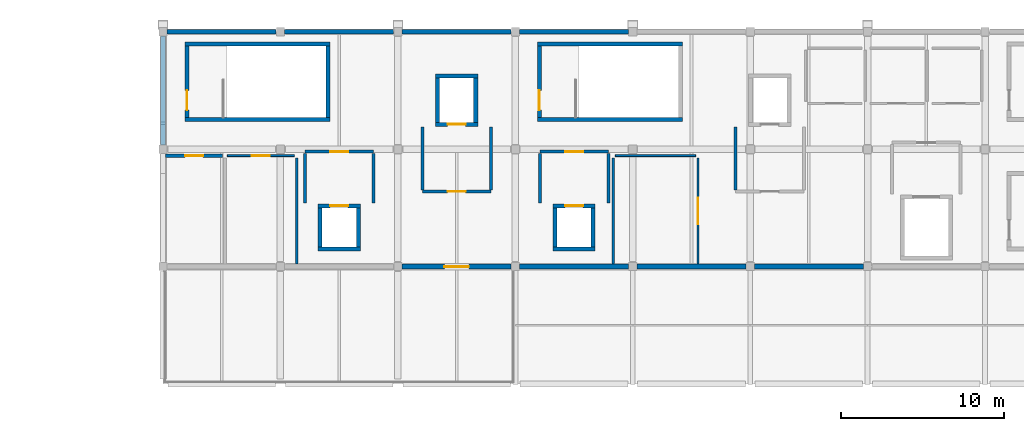
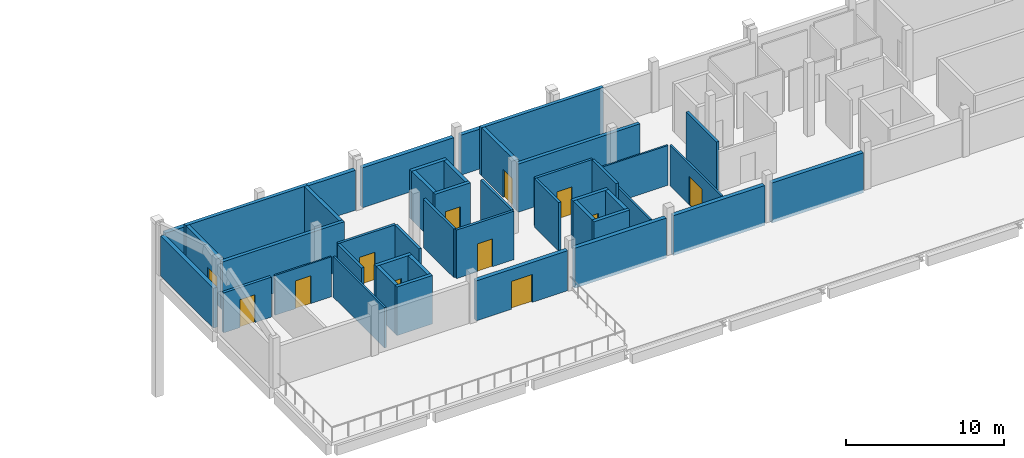
# One storey, part 5 of 8: 44 walls, 12 doors, 12 openings.
"""IFC4 building model written with IfcOpenShell, lengths in metres."""

from ifc_helpers import new_model, si_unit, direction, frame, frame_2d, origin, place, context, subcontext, project, spatial, rectangle, extrude, material, layer, layer_set, type_object, element, fill, save


model = new_model("IFC4")

# Units and contexts
model_context = context("Model", 3, precision=1e-05, world=origin(), true_north=direction((0.0, 1.0)))
body_context = subcontext(model_context, "Body", "Model", "MODEL_VIEW")
ifc_project = project(units=[si_unit("LENGTHUNIT", "METRE"), si_unit("AREAUNIT", "SQUARE_METRE"), si_unit("VOLUMEUNIT", "CUBIC_METRE"), si_unit("PLANEANGLEUNIT", "RADIAN"), si_unit("MASSUNIT", "GRAM", prefix="KILO")], contexts=[model_context])

# Site, building, storey
site_placement = place(None, origin())
site = spatial("IfcSite", under=ifc_project, at=site_placement, CompositionType="ELEMENT")
building_placement = place(site_placement, origin())
building = spatial("IfcBuilding", under=site, at=building_placement, Name="Cendralis Lancet Convention Centre", CompositionType="ELEMENT")
storey_placement = place(building_placement, frame((0.0, 0.0, 24.60009765625)))
storey = spatial("IfcBuildingStorey", under=building, at=storey_placement, Name="L05", CompositionType="ELEMENT", Elevation=24.60009765625)

# Walls
ifc_material_1 = material(Name="Buff sandstone ashlar and Concrete G40 (C40/50)", Category="masonry")
ifc_layer_1 = layer(ifc_material_1, 0.300048828125, Name="Buff sandstone ashlar and Concrete G40 (C40/50)")
ifc_layer_set_1 = layer_set([ifc_layer_1], Name="Buff sandstone ashlar and Concrete G40 (C40/50)")
wall_type_1 = type_object("IfcWallType", Name="ARC-EW-W300", PredefinedType="STANDARD", material=ifc_layer_set_1)
for number, where, z_axis, x_axis, name in (
    (1, (146.657958984375, 36.0, 0.0), (0.0, 0.0, 1.0), (1.0, 0.0, 0.0), "L05 V5 Exterior Wall EW-07 #0321"),
    (2, (153.85791015625, 36.0, 0.0), (0.0, 0.0, 1.0), (1.0, 0.0, 0.0), "L05 V5 Exterior Wall EW-07 #0325"),
):
    element("IfcWall", number, at=place(storey_placement, frame(where, z_axis=z_axis, x_axis=x_axis)), inside=storey, type_object=wall_type_1, Name=name, PredefinedType="STANDARD", context=body_context, shape_type="SweptSolid", body=[
        extrude(rectangle(XDim=6.68408203125, YDim=0.300048828125, at=frame_2d((3.342041015625, 0.0))), origin(), (0.0, 0.0, 1.0), 3.0849609375),
    ])
wall_1_placement = place(storey_placement, frame((161.05810546875, 36.0, 0.0), z_axis=(0.0, 0.0, 1.0), x_axis=(1.0, 0.0, 0.0)))
element("IfcWall", 3, at=wall_1_placement, inside=storey, type_object=wall_type_1, Name="L05 V5 Exterior Wall EW-07 #0329", PredefinedType="STANDARD", context=body_context, shape_type="SweptSolid", body=[
    extrude(rectangle(XDim=6.683837890625, YDim=0.300048828125, at=frame_2d((3.341796875, 0.0))), origin(), (0.0, 0.0, 1.0), 3.0849609375),
])

# Wall, opening, door
wall_2_placement = place(storey_placement, frame((167.741943359375, 21.60009765625, 0.0), z_axis=(0.0, 0.0, 1.0), x_axis=(-1.0, 0.0, 0.0)))
wall_2 = element("IfcWall", 4, at=wall_2_placement, inside=storey, type_object=wall_type_1, Name="L05 V5 Exterior Wall EW-07 #0330", PredefinedType="STANDARD", context=body_context, shape_type="SweptSolid", body=[
    extrude(rectangle(XDim=6.683837890625, YDim=0.300048828125, at=frame_2d((3.341796875, 0.0))), origin(), (0.0, 0.0, 1.0), 3.0849609375),
])
opening_1_placement = place(wall_2_placement, frame((2.592041015625, 0.0, 0.0)))
opening_1 = element("IfcOpeningElement", 5, at=opening_1_placement, cuts=wall_2, Name="Opening TR-D3", PredefinedType="OPENING", context=body_context, shape_type="SweptSolid", body=[
    extrude(rectangle(XDim=1.5, YDim=2.14990234375, at=frame_2d((0.75, 1.074951171875))), frame((0.0, 0.159912109375, 0.0), z_axis=(0.0, -1.0, 0.0), x_axis=(1.0, 0.0, 0.0)), (0.0, 0.0, 1.0), 0.320068359375),
])
ifc_material_2 = material(Name="Anodised bronze architectural aluminium", Category="aluminium")
door_type_1 = type_object("IfcDoorType", Name="ARC-DR-TR15", OperationType="NOTDEFINED", PredefinedType="DOOR", material=ifc_material_2)
door_1_placement = place(opening_1_placement, origin())
door_1 = element("IfcDoor", 6, at=door_1_placement, inside=storey, type_object=door_type_1, Name="L05-D001 Terrace Access Door #056", OperationType="DOUBLE_DOOR_SINGLE_SWING", OverallHeight=2.14990234375, OverallWidth=1.5, PredefinedType="DOOR", context=body_context, shape_type="SweptSolid", body=[
    extrude(rectangle(XDim=1.5, YDim=2.14990234375, at=frame_2d((0.75, 1.074951171875))), frame((0.0, 0.02490234375, 0.0), z_axis=(0.0, -1.0, 0.0), x_axis=(1.0, 0.0, 0.0)), (0.0, 0.0, 1.0), 0.050048828125),
])
fill(opening_1, door_1)

# Walls
for number, where, z_axis, x_axis, name in (
    (7, (168.258056640625, 36.0, 0.0), (0.0, 0.0, 1.0), (1.0, 0.0, 0.0), "L05 V5 Exterior Wall EW-07 #0333"),
    (8, (174.94189453125, 21.60009765625, 0.0), (0.0, 0.0, 1.0), (-1.0, 0.0, 0.0), "L05 V5 Exterior Wall EW-07 #0334"),
):
    element("IfcWall", number, at=place(storey_placement, frame(where, z_axis=z_axis, x_axis=x_axis)), inside=storey, type_object=wall_type_1, Name=name, PredefinedType="STANDARD", context=body_context, shape_type="SweptSolid", body=[
        extrude(rectangle(XDim=6.683837890625, YDim=0.300048828125, at=frame_2d((3.341796875, 0.0))), origin(), (0.0, 0.0, 1.0), 3.0849609375),
    ])
for number, where, z_axis, x_axis, name in (
    (9, (182.14208984375, 21.60009765625, 0.0), (0.0, 0.0, 1.0), (-1.0, 0.0, 0.0), "L05 V5 Exterior Wall EW-07 #0338"),
    (10, (189.342041015625, 21.60009765625, 0.0), (0.0, 0.0, 1.0), (-1.0, 0.0, 0.0), "L05 V5 Exterior Wall EW-07 #0342"),
):
    element("IfcWall", number, at=place(storey_placement, frame(where, z_axis=z_axis, x_axis=x_axis)), inside=storey, type_object=wall_type_1, Name=name, PredefinedType="STANDARD", context=body_context, shape_type="SweptSolid", body=[
        extrude(rectangle(XDim=6.68408203125, YDim=0.300048828125, at=frame_2d((3.342041015625, 0.0))), origin(), (0.0, 0.0, 1.0), 3.0849609375),
    ])
wall_3_placement = place(storey_placement, frame((146.39990234375, 29.05810546875, 0.0), z_axis=(0.0, 0.0, 1.0), x_axis=(0.0, 1.0, 0.0)))
element("IfcWall", 11, at=wall_3_placement, inside=storey, type_object=wall_type_1, Name="L05 V5 Exterior Wall EW-07 #0360", PredefinedType="STANDARD", context=body_context, shape_type="SweptSolid", body=[
    extrude(rectangle(XDim=6.683837890625, YDim=0.300048828125, at=frame_2d((3.341796875, 0.0))), origin(), (0.0, 0.0, 1.0), 3.0849609375),
])
ifc_material_3 = material(Name="Acoustic fire-rated gypsum board on steel studs", Category="steel")
ifc_layer_2 = layer(ifc_material_3, 0.1201171875, Name="Acoustic fire-rated gypsum board on steel studs")
ifc_layer_set_2 = layer_set([ifc_layer_2], Name="Acoustic fire-rated gypsum board on steel studs")
wall_type_2 = type_object("IfcWallType", Name="ARC-IW-P120", PredefinedType="PARTITIONING", material=ifc_layer_set_2)
wall_4_placement = place(storey_placement, frame((174.139892578125, 28.39990234375, 0.0), z_axis=(0.0, 0.0, 1.0), x_axis=(1.0, 0.0, 0.0)))
element("IfcWall", 12, at=wall_4_placement, inside=storey, type_object=wall_type_2, Name="L05 Interior Partition IW-05 #0441", PredefinedType="PARTITIONING", context=body_context, shape_type="SweptSolid", body=[
    extrude(rectangle(XDim=4.920166015625, YDim=0.1201171875, at=frame_2d((2.4599609375, 0.0))), origin(), (0.0, 0.0, 1.0), 3.0849609375),
])

# Wall, opening, door
wall_5_placement = place(storey_placement, frame((150.340087890625, 28.39990234375, 0.0), z_axis=(0.0, 0.0, 1.0), x_axis=(1.0, 0.0, 0.0)))
wall_5 = element("IfcWall", 13, at=wall_5_placement, inside=storey, type_object=wall_type_2, Name="L05 Interior Partition IW-05 #0446", PredefinedType="PARTITIONING", context=body_context, shape_type="SweptSolid", body=[
    extrude(rectangle(XDim=4.119873046875, YDim=0.1201171875, at=frame_2d((2.06005859375, 0.0))), origin(), (0.0, 0.0, 1.0), 3.0849609375),
])
opening_2_placement = place(wall_5_placement, frame((1.510009765625, 0.0, 0.0)))
opening_2 = element("IfcOpeningElement", 14, at=opening_2_placement, cuts=wall_5, Name="Opening FD-11", PredefinedType="OPENING", context=body_context, shape_type="SweptSolid", body=[
    extrude(rectangle(XDim=1.10009765625, YDim=2.14990234375, at=frame_2d((0.550048828125, 1.074951171875))), frame((0.0, 0.070068359375, 0.0), z_axis=(0.0, -1.0, 0.0), x_axis=(1.0, 0.0, 0.0)), (0.0, 0.0, 1.0), 0.14013671875),
])
ifc_material_4 = material(Name="Steel S355", Category="steel")
door_type_2 = type_object("IfcDoorType", Name="ARC-DR-FF11", OperationType="NOTDEFINED", PredefinedType="DOOR", material=ifc_material_4)
door_2_placement = place(opening_2_placement, frame((1.10009765625, 0.0, 0.0), z_axis=(0.0, 0.0, 1.0), x_axis=(-1.0, 0.0, 0.0)))
door_2 = element("IfcDoor", 15, at=door_2_placement, inside=storey, type_object=door_type_2, Name="L05-D004 L05 Interior Door FD-11 #0153", OperationType="SINGLE_SWING_RIGHT", OverallHeight=2.14990234375, OverallWidth=1.10009765625, PredefinedType="DOOR", context=body_context, shape_type="SweptSolid", body=[
    extrude(rectangle(XDim=1.10009765625, YDim=2.14990234375, at=frame_2d((0.550048828125, 1.074951171875))), frame((0.0, 0.02490234375, 0.0), z_axis=(0.0, -1.0, 0.0), x_axis=(1.0, 0.0, 0.0)), (0.0, 0.0, 1.0), 0.050048828125),
])
fill(opening_2, door_2)

# Wall
ifc_layer_3 = layer(ifc_material_3, 0.139892578125, Name="Acoustic fire-rated gypsum board on steel studs")
ifc_layer_set_3 = layer_set([ifc_layer_3], Name="Acoustic fire-rated gypsum board on steel studs")
wall_type_3 = type_object("IfcWallType", Name="ARC-IW-P140", PredefinedType="PARTITIONING", material=ifc_layer_set_3)
wall_6_placement = place(storey_placement, frame((174.0, 21.760009765625, 0.0), z_axis=(0.0, 0.0, 1.0), x_axis=(0.0, 1.0, 0.0)))
element("IfcWall", 16, at=wall_6_placement, inside=storey, type_object=wall_type_3, Name="L05 Interior Partition IW-04 #0442", PredefinedType="PARTITIONING", context=body_context, shape_type="SweptSolid", body=[
    extrude(rectangle(XDim=6.5, YDim=0.139892578125, at=frame_2d((3.25, 0.0))), origin(), (0.0, 0.0, 1.0), 3.135009765625),
])

# Wall, opening, door
wall_7_placement = place(storey_placement, frame((179.199951171875, 21.760009765625, 0.0), z_axis=(0.0, 0.0, 1.0), x_axis=(0.0, 1.0, 0.0)))
wall_7 = element("IfcWall", 17, at=wall_7_placement, inside=storey, type_object=wall_type_3, Name="L05 Interior Partition IW-04 #0443", PredefinedType="PARTITIONING", context=body_context, shape_type="SweptSolid", body=[
    extrude(rectangle(XDim=6.5, YDim=0.139892578125, at=frame_2d((3.25, 0.0))), origin(), (0.0, 0.0, 1.0), 3.135009765625),
])
opening_3_placement = place(wall_7_placement, frame((2.449951171875, 0.0, 0.0)))
opening_3 = element("IfcOpeningElement", 18, at=opening_3_placement, cuts=wall_7, Name="Opening ID-16", PredefinedType="OPENING", context=body_context, shape_type="SweptSolid", body=[
    extrude(rectangle(XDim=1.60009765625, YDim=2.199951171875, at=frame_2d((0.800048828125, 1.10009765625))), frame((0.0, 0.079833984375, 0.0), z_axis=(0.0, -1.0, 0.0), x_axis=(1.0, 0.0, 0.0)), (0.0, 0.0, 1.0), 0.159912109375),
])
ifc_material_5 = material(Name="Acoustic Chilean lenga timber and steel fire leaf", Category="steel")
door_type_3 = type_object("IfcDoorType", Name="ARC-DR-DB16", OperationType="NOTDEFINED", PredefinedType="DOOR", material=ifc_material_5)
door_3_placement = place(opening_3_placement, frame((1.60009765625, 0.0, 0.0), z_axis=(0.0, 0.0, 1.0), x_axis=(-1.0, 0.0, 0.0)))
door_3 = element("IfcDoor", 19, at=door_3_placement, inside=storey, type_object=door_type_3, Name="L05-D002 L05 Interior Door ID-16 #0151", OperationType="DOUBLE_DOOR_SINGLE_SWING", OverallHeight=2.199951171875, OverallWidth=1.60009765625, PredefinedType="DOOR", context=body_context, shape_type="SweptSolid", body=[
    extrude(rectangle(XDim=1.60009765625, YDim=2.199951171875, at=frame_2d((0.800048828125, 1.10009765625))), frame((0.0, 0.02490234375, 0.0), z_axis=(0.0, -1.0, 0.0), x_axis=(1.0, 0.0, 0.0)), (0.0, 0.0, 1.0), 0.050048828125),
])
fill(opening_3, door_3)

# Wall
wall_8_placement = place(storey_placement, frame((154.60009765625, 21.760009765625, 0.0), z_axis=(0.0, 0.0, 1.0), x_axis=(0.0, 1.0, 0.0)))
element("IfcWall", 20, at=wall_8_placement, inside=storey, type_object=wall_type_3, Name="L05 Interior Partition IW-04 #0447", PredefinedType="PARTITIONING", context=body_context, shape_type="SweptSolid", body=[
    extrude(rectangle(XDim=6.5, YDim=0.139892578125, at=frame_2d((3.25, 0.0))), origin(), (0.0, 0.0, 1.0), 3.135009765625),
])

# Wall, opening, door
ifc_layer_4 = layer(ifc_material_3, 0.179931640625, Name="Acoustic fire-rated gypsum board on steel studs")
ifc_layer_set_4 = layer_set([ifc_layer_4], Name="Acoustic fire-rated gypsum board on steel studs")
wall_type_4 = type_object("IfcWallType", Name="ARC-IW-P180", PredefinedType="PARTITIONING", material=ifc_layer_set_4)
wall_9_placement = place(storey_placement, frame((166.5, 26.199951171875, 0.0), z_axis=(0.0, 0.0, 1.0), x_axis=(-1.0, 0.0, 0.0)))
wall_9 = element("IfcWall", 21, at=wall_9_placement, inside=storey, type_object=wall_type_4, Name="L05 Firefighting Lift Lobby LF-01 Front Wall", PredefinedType="PARTITIONING", context=body_context, shape_type="SweptSolid", body=[
    extrude(rectangle(XDim=4.199951171875, YDim=0.179931640625, at=frame_2d((2.10009765625, 0.0))), origin(), (0.0, 0.0, 1.0), 3.75),
])
opening_4_placement = place(wall_9_placement, frame((1.550048828125, 0.0, 0.0)))
opening_4 = element("IfcOpeningElement", 22, at=opening_4_placement, cuts=wall_9, Name="Opening FD-11", PredefinedType="OPENING", context=body_context, shape_type="SweptSolid", body=[
    extrude(rectangle(XDim=1.10009765625, YDim=2.14990234375, at=frame_2d((0.550048828125, 1.074951171875))), frame((0.0, 0.099853515625, 0.0), z_axis=(0.0, -1.0, 0.0), x_axis=(1.0, 0.0, 0.0)), (0.0, 0.0, 1.0), 0.199951171875),
])
door_4_placement = place(opening_4_placement, origin())
door_4 = element("IfcDoor", 23, at=door_4_placement, inside=storey, type_object=door_type_2, Name="L05-D013 L05 Lift Lobby LF-01 Fire Door", OperationType="SINGLE_SWING_RIGHT", OverallHeight=2.14990234375, OverallWidth=1.10009765625, PredefinedType="DOOR", context=body_context, shape_type="SweptSolid", body=[
    extrude(rectangle(XDim=1.10009765625, YDim=2.14990234375, at=frame_2d((0.550048828125, 1.074951171875))), frame((0.0, 0.02490234375, 0.0), z_axis=(0.0, -1.0, 0.0), x_axis=(1.0, 0.0, 0.0)), (0.0, 0.0, 1.0), 0.050048828125),
])
fill(opening_4, door_4)

# Walls
for number, where, z_axis, x_axis, name in (
    (24, (162.300048828125, 26.300048828125, 0.0), (0.0, 0.0, 1.0), (0.0, 1.0, 0.0), "L05 Lift Lobby LF-01 West Wall"),
    (25, (166.5, 26.300048828125, 0.0), (0.0, 0.0, 1.0), (0.0, 1.0, 0.0), "L05 Lift Lobby LF-01 East Wall"),
    (26, (181.5, 26.300048828125, 0.0), (0.0, 0.0, 1.0), (0.0, 1.0, 0.0), "L05 Lift Lobby LF-02 West Wall"),
):
    element("IfcWall", number, at=place(storey_placement, frame(where, z_axis=z_axis, x_axis=x_axis)), inside=storey, type_object=wall_type_4, Name=name, PredefinedType="PARTITIONING", context=body_context, shape_type="SweptSolid", body=[
        extrude(rectangle(XDim=3.849853515625, YDim=0.179931640625, at=frame_2d((1.9248046875, 0.0))), origin(), (0.0, 0.0, 1.0), 3.75),
    ])

# Wall, opening, door
wall_10_placement = place(storey_placement, frame((155.10009765625, 28.64990234375, 0.0), z_axis=(0.0, 0.0, 1.0), x_axis=(1.0, 0.0, 0.0)))
wall_10 = element("IfcWall", 27, at=wall_10_placement, inside=storey, type_object=wall_type_4, Name="L05 Lift Lobby LP-01 Front Wall", PredefinedType="PARTITIONING", context=body_context, shape_type="SweptSolid", body=[
    extrude(rectangle(XDim=4.199951171875, YDim=0.179931640625, at=frame_2d((2.10009765625, 0.0))), origin(), (0.0, 0.0, 1.0), 3.75),
])
opening_5_placement = place(wall_10_placement, frame((1.550048828125, 0.0, 0.0)))
opening_5 = element("IfcOpeningElement", 28, at=opening_5_placement, cuts=wall_10, Name="Opening FD-11", PredefinedType="OPENING", context=body_context, shape_type="SweptSolid", body=[
    extrude(rectangle(XDim=1.10009765625, YDim=2.14990234375, at=frame_2d((0.550048828125, 1.074951171875))), frame((0.0, 0.099853515625, 0.0), z_axis=(0.0, -1.0, 0.0), x_axis=(1.0, 0.0, 0.0)), (0.0, 0.0, 1.0), 0.199951171875),
])
door_5_placement = place(opening_5_placement, origin())
door_5 = element("IfcDoor", 29, at=door_5_placement, inside=storey, type_object=door_type_2, Name="L05-D016 L05 Lift Lobby LP-01 Fire Door", OperationType="SINGLE_SWING_RIGHT", OverallHeight=2.14990234375, OverallWidth=1.10009765625, PredefinedType="DOOR", context=body_context, shape_type="SweptSolid", body=[
    extrude(rectangle(XDim=1.10009765625, YDim=2.14990234375, at=frame_2d((0.550048828125, 1.074951171875))), frame((0.0, 0.02490234375, 0.0), z_axis=(0.0, -1.0, 0.0), x_axis=(1.0, 0.0, 0.0)), (0.0, 0.0, 1.0), 0.050048828125),
])
fill(opening_5, door_5)

# Walls
for number, where, z_axis, x_axis, name in (
    (30, (155.10009765625, 25.5, 0.0), (0.0, 0.0, 1.0), (0.0, 1.0, 0.0), "L05 Lift Lobby LP-01 West Wall"),
    (31, (159.300048828125, 25.5, 0.0), (0.0, 0.0, 1.0), (0.0, 1.0, 0.0), "L05 Lift Lobby LP-01 East Wall"),
):
    element("IfcWall", number, at=place(storey_placement, frame(where, z_axis=z_axis, x_axis=x_axis)), inside=storey, type_object=wall_type_4, Name=name, PredefinedType="PARTITIONING", context=body_context, shape_type="SweptSolid", body=[
        extrude(rectangle(XDim=3.050048828125, YDim=0.179931640625, at=frame_2d((1.52490234375, 0.0))), origin(), (0.0, 0.0, 1.0), 3.75),
    ])

# Wall, opening, door
wall_11_placement = place(storey_placement, frame((169.5, 28.64990234375, 0.0), z_axis=(0.0, 0.0, 1.0), x_axis=(1.0, 0.0, 0.0)))
wall_11 = element("IfcWall", 32, at=wall_11_placement, inside=storey, type_object=wall_type_4, Name="L05 Lift Lobby LP-02 Front Wall", PredefinedType="PARTITIONING", context=body_context, shape_type="SweptSolid", body=[
    extrude(rectangle(XDim=4.199951171875, YDim=0.179931640625, at=frame_2d((2.10009765625, 0.0))), origin(), (0.0, 0.0, 1.0), 3.75),
])
opening_6_placement = place(wall_11_placement, frame((1.550048828125, 0.0, 0.0)))
opening_6 = element("IfcOpeningElement", 33, at=opening_6_placement, cuts=wall_11, Name="Opening FD-11", PredefinedType="OPENING", context=body_context, shape_type="SweptSolid", body=[
    extrude(rectangle(XDim=1.10009765625, YDim=2.14990234375, at=frame_2d((0.550048828125, 1.074951171875))), frame((0.0, 0.099853515625, 0.0), z_axis=(0.0, -1.0, 0.0), x_axis=(1.0, 0.0, 0.0)), (0.0, 0.0, 1.0), 0.199951171875),
])
door_6_placement = place(opening_6_placement, origin())
door_6 = element("IfcDoor", 34, at=door_6_placement, inside=storey, type_object=door_type_2, Name="L05-D017 L05 Lift Lobby LP-02 Fire Door", OperationType="SINGLE_SWING_LEFT", OverallHeight=2.14990234375, OverallWidth=1.10009765625, PredefinedType="DOOR", context=body_context, shape_type="SweptSolid", body=[
    extrude(rectangle(XDim=1.10009765625, YDim=2.14990234375, at=frame_2d((0.550048828125, 1.074951171875))), frame((0.0, 0.02490234375, 0.0), z_axis=(0.0, -1.0, 0.0), x_axis=(1.0, 0.0, 0.0)), (0.0, 0.0, 1.0), 0.050048828125),
])
fill(opening_6, door_6)

# Walls
for number, where, z_axis, x_axis, name in (
    (35, (169.5, 25.5, 0.0), (0.0, 0.0, 1.0), (0.0, 1.0, 0.0), "L05 Lift Lobby LP-02 West Wall"),
    (36, (173.699951171875, 25.5, 0.0), (0.0, 0.0, 1.0), (0.0, 1.0, 0.0), "L05 Lift Lobby LP-02 East Wall"),
):
    element("IfcWall", number, at=place(storey_placement, frame(where, z_axis=z_axis, x_axis=x_axis)), inside=storey, type_object=wall_type_4, Name=name, PredefinedType="PARTITIONING", context=body_context, shape_type="SweptSolid", body=[
        extrude(rectangle(XDim=3.050048828125, YDim=0.179931640625, at=frame_2d((1.52490234375, 0.0))), origin(), (0.0, 0.0, 1.0), 3.75),
    ])

# Wall, opening, door
ifc_layer_5 = layer(ifc_material_3, 0.2099609375, Name="Acoustic fire-rated gypsum board on steel studs")
ifc_layer_set_5 = layer_set([ifc_layer_5], Name="Acoustic fire-rated gypsum board on steel studs")
wall_type_5 = type_object("IfcWallType", Name="ARC-IW-P210", PredefinedType="PARTITIONING", material=ifc_layer_set_5)
wall_12_placement = place(storey_placement, frame((146.56005859375, 28.39990234375, 0.0), z_axis=(0.0, 0.0, 1.0), x_axis=(1.0, 0.0, 0.0)))
wall_12 = element("IfcWall", 37, at=wall_12_placement, inside=storey, type_object=wall_type_5, Name="L05 Interior Partition IW-01 #0444", PredefinedType="PARTITIONING", context=body_context, shape_type="SweptSolid", body=[
    extrude(rectangle(XDim=3.5, YDim=0.2099609375, at=frame_2d((1.75, 0.0))), origin(), (0.0, 0.0, 1.0), 3.0849609375),
])
opening_7_placement = place(wall_12_placement, frame((1.199951171875, 0.0, 0.0)))
opening_7 = element("IfcOpeningElement", 38, at=opening_7_placement, cuts=wall_12, Name="Opening FD-11", PredefinedType="OPENING", context=body_context, shape_type="SweptSolid", body=[
    extrude(rectangle(XDim=1.10009765625, YDim=2.14990234375, at=frame_2d((0.550048828125, 1.074951171875))), frame((0.0, 0.114990234375, 0.0), z_axis=(0.0, -1.0, 0.0), x_axis=(1.0, 0.0, 0.0)), (0.0, 0.0, 1.0), 0.22998046875),
])
door_7_placement = place(opening_7_placement, origin())
door_7 = element("IfcDoor", 39, at=door_7_placement, inside=storey, type_object=door_type_2, Name="L05-D003 L05 Interior Door FD-11 #0152", OperationType="SINGLE_SWING_LEFT", OverallHeight=2.14990234375, OverallWidth=1.10009765625, PredefinedType="DOOR", context=body_context, shape_type="SweptSolid", body=[
    extrude(rectangle(XDim=1.10009765625, YDim=2.14990234375, at=frame_2d((0.550048828125, 1.074951171875))), frame((0.0, 0.02490234375, 0.0), z_axis=(0.0, -1.0, 0.0), x_axis=(1.0, 0.0, 0.0)), (0.0, 0.0, 1.0), 0.050048828125),
])
fill(opening_7, door_7)

ifc_material_6 = material(Name="Concrete G40 (C40/50)", Category="concrete")
ifc_layer_6 = layer(ifc_material_6, 0.25, Name="Concrete G40 (C40/50)")
ifc_layer_set_6 = layer_set([ifc_layer_6], Name="Concrete G40 (C40/50)")
wall_type_6 = type_object("IfcWallType", Name="STR-SW-CW250", PredefinedType="SHEAR", material=ifc_layer_set_6)
wall_13_placement = place(storey_placement, frame((147.875, 30.75, 0.0), z_axis=(0.0, 0.0, 1.0), x_axis=(0.0, 1.0, 0.0)))
wall_13 = element("IfcWall", 40, at=wall_13_placement, inside=storey, type_object=wall_type_6, Name="L05 Stair Core ST-13 West Shear Wall", PredefinedType="SHEAR", context=body_context, shape_type="SweptSolid", body=[
    extrude(rectangle(XDim=4.3798828125, YDim=0.25, at=frame_2d((2.18994140625, 0.0))), origin(), (0.0, 0.0, 1.0), 3.719970703125),
])
opening_8_placement = place(wall_13_placement, frame((0.449951171875, 0.0, 0.0)))
opening_8 = element("IfcOpeningElement", 41, at=opening_8_placement, cuts=wall_13, Name="Opening SD-12", PredefinedType="OPENING", context=body_context, shape_type="SweptSolid", body=[
    extrude(rectangle(XDim=1.199951171875, YDim=2.14990234375, at=frame_2d((0.60009765625, 1.074951171875))), frame((0.0, 0.135009765625, 0.0), z_axis=(0.0, -1.0, 0.0), x_axis=(1.0, 0.0, 0.0)), (0.0, 0.0, 1.0), 0.27001953125),
])
door_type_4 = type_object("IfcDoorType", Name="ARC-DR-ST12", OperationType="NOTDEFINED", PredefinedType="DOOR", material=ifc_material_4)
door_8_placement = place(opening_8_placement, frame((1.199951171875, 0.0, 0.0), z_axis=(0.0, 0.0, 1.0), x_axis=(-1.0, 0.0, 0.0)))
door_8 = element("IfcDoor", 42, at=door_8_placement, inside=storey, type_object=door_type_4, Name="L05-D018 L05 Exit Stair ST-13 Fire Door", OperationType="SINGLE_SWING_RIGHT", OverallHeight=2.14990234375, OverallWidth=1.199951171875, PredefinedType="DOOR", context=body_context, shape_type="SweptSolid", body=[
    extrude(rectangle(XDim=1.199951171875, YDim=2.14990234375, at=frame_2d((0.60009765625, 1.074951171875))), frame((0.0, 0.02490234375, 0.0), z_axis=(0.0, -1.0, 0.0), x_axis=(1.0, 0.0, 0.0)), (0.0, 0.0, 1.0), 0.050048828125),
])
fill(opening_8, door_8)

# Walls
wall_14_placement = place(storey_placement, frame((156.52490234375, 30.75, 0.0), z_axis=(0.0, 0.0, 1.0), x_axis=(0.0, 1.0, 0.0)))
element("IfcWall", 43, at=wall_14_placement, inside=storey, type_object=wall_type_6, Name="L05 Stair Core ST-13 East Shear Wall", PredefinedType="SHEAR", context=body_context, shape_type="SweptSolid", body=[
    extrude(rectangle(XDim=4.3798828125, YDim=0.25, at=frame_2d((2.18994140625, 0.0))), origin(), (0.0, 0.0, 1.0), 3.719970703125),
])
for number, where, z_axis, x_axis, name in (
    (44, (147.75, 30.625, 0.0), (0.0, 0.0, 1.0), (1.0, 0.0, 0.0), "L05 Stair Core ST-13 South Shear Wall"),
    (45, (147.75, 35.2548828125, 0.0), (0.0, 0.0, 1.0), (1.0, 0.0, 0.0), "L05 Stair Core ST-13 North Shear Wall"),
):
    element("IfcWall", number, at=place(storey_placement, frame(where, z_axis=z_axis, x_axis=x_axis)), inside=storey, type_object=wall_type_6, Name=name, PredefinedType="SHEAR", context=body_context, shape_type="SweptSolid", body=[
        extrude(rectangle(XDim=8.89990234375, YDim=0.25, at=frame_2d((4.449951171875, 0.0))), origin(), (0.0, 0.0, 1.0), 3.719970703125),
    ])

# Wall, opening, door
wall_15_placement = place(storey_placement, frame((169.47509765625, 30.75, 0.0), z_axis=(0.0, 0.0, 1.0), x_axis=(0.0, 1.0, 0.0)))
wall_15 = element("IfcWall", 46, at=wall_15_placement, inside=storey, type_object=wall_type_6, Name="L05 Stair Core ST-14 West Shear Wall", PredefinedType="SHEAR", context=body_context, shape_type="SweptSolid", body=[
    extrude(rectangle(XDim=4.3798828125, YDim=0.25, at=frame_2d((2.18994140625, 0.0))), origin(), (0.0, 0.0, 1.0), 3.719970703125),
])
opening_9_placement = place(wall_15_placement, frame((0.449951171875, 0.0, 0.0)))
opening_9 = element("IfcOpeningElement", 47, at=opening_9_placement, cuts=wall_15, Name="Opening SD-12", PredefinedType="OPENING", context=body_context, shape_type="SweptSolid", body=[
    extrude(rectangle(XDim=1.199951171875, YDim=2.14990234375, at=frame_2d((0.60009765625, 1.074951171875))), frame((0.0, 0.135009765625, 0.0), z_axis=(0.0, -1.0, 0.0), x_axis=(1.0, 0.0, 0.0)), (0.0, 0.0, 1.0), 0.27001953125),
])
door_9_placement = place(opening_9_placement, frame((1.199951171875, 0.0, 0.0), z_axis=(0.0, 0.0, 1.0), x_axis=(-1.0, 0.0, 0.0)))
door_9 = element("IfcDoor", 48, at=door_9_placement, inside=storey, type_object=door_type_4, Name="L05-D019 L05 Exit Stair ST-14 Fire Door", OperationType="SINGLE_SWING_LEFT", OverallHeight=2.14990234375, OverallWidth=1.199951171875, PredefinedType="DOOR", context=body_context, shape_type="SweptSolid", body=[
    extrude(rectangle(XDim=1.199951171875, YDim=2.14990234375, at=frame_2d((0.60009765625, 1.074951171875))), frame((0.0, 0.02490234375, 0.0), z_axis=(0.0, -1.0, 0.0), x_axis=(1.0, 0.0, 0.0)), (0.0, 0.0, 1.0), 0.050048828125),
])
fill(opening_9, door_9)

# Walls
for number, where, z_axis, x_axis, name in (
    (49, (169.35009765625, 30.625, 0.0), (0.0, 0.0, 1.0), (1.0, 0.0, 0.0), "L05 Stair Core ST-14 South Shear Wall"),
    (50, (169.35009765625, 35.2548828125, 0.0), (0.0, 0.0, 1.0), (1.0, 0.0, 0.0), "L05 Stair Core ST-14 North Shear Wall"),
):
    element("IfcWall", number, at=place(storey_placement, frame(where, z_axis=z_axis, x_axis=x_axis)), inside=storey, type_object=wall_type_6, Name=name, PredefinedType="SHEAR", context=body_context, shape_type="SweptSolid", body=[
        extrude(rectangle(XDim=8.89990234375, YDim=0.25, at=frame_2d((4.449951171875, 0.0))), origin(), (0.0, 0.0, 1.0), 3.719970703125),
    ])

# Wall, opening, door
wall_16_placement = place(storey_placement, frame((163.10009765625, 30.324951171875, 0.0), z_axis=(0.0, 0.0, 1.0), x_axis=(1.0, 0.0, 0.0)))
wall_16 = element("IfcWall", 51, at=wall_16_placement, inside=storey, type_object=wall_type_6, Name="L05 Lift LF-01 South Shaft Wall", PredefinedType="SHEAR", context=body_context, shape_type="SweptSolid", body=[
    extrude(rectangle(XDim=2.599853515625, YDim=0.25, at=frame_2d((1.2998046875, 0.0))), origin(), (0.0, 0.0, 1.0), 3.75),
])
opening_10_placement = place(wall_16_placement, frame((0.75, 0.0, 0.0)))
opening_10 = element("IfcOpeningElement", 52, at=opening_10_placement, cuts=wall_16, Name="Opening LD-11", PredefinedType="OPENING", context=body_context, shape_type="SweptSolid", body=[
    extrude(rectangle(XDim=1.10009765625, YDim=2.14990234375, at=frame_2d((0.550048828125, 1.074951171875))), frame((0.0, 0.135009765625, 0.0), z_axis=(0.0, -1.0, 0.0), x_axis=(1.0, 0.0, 0.0)), (0.0, 0.0, 1.0), 0.27001953125),
])
door_type_5 = type_object("IfcDoorType", Name="ARC-DR-LD11", OperationType="NOTDEFINED", PredefinedType="DOOR", material=ifc_material_2)
door_10_placement = place(opening_10_placement, origin())
door_10 = element("IfcDoor", 53, at=door_10_placement, inside=storey, type_object=door_type_5, Name="L05-D008 L05 Lift LF-01 Sliding Landing Door", OperationType="SLIDING_TO_RIGHT", OverallHeight=2.14990234375, OverallWidth=1.10009765625, PredefinedType="DOOR", context=body_context, shape_type="SweptSolid", body=[
    extrude(rectangle(XDim=1.10009765625, YDim=2.14990234375, at=frame_2d((0.550048828125, 1.074951171875))), frame((0.0, 0.02490234375, 0.0), z_axis=(0.0, -1.0, 0.0), x_axis=(1.0, 0.0, 0.0)), (0.0, 0.0, 1.0), 0.050048828125),
])
fill(opening_10, door_10)

# Walls
wall_17_placement = place(storey_placement, frame((163.10009765625, 33.27490234375, 0.0), z_axis=(0.0, 0.0, 1.0), x_axis=(1.0, 0.0, 0.0)))
element("IfcWall", 54, at=wall_17_placement, inside=storey, type_object=wall_type_6, Name="L05 Lift LF-01 North Shaft Wall", PredefinedType="SHEAR", context=body_context, shape_type="SweptSolid", body=[
    extrude(rectangle(XDim=2.599853515625, YDim=0.25, at=frame_2d((1.2998046875, 0.0))), origin(), (0.0, 0.0, 1.0), 3.75),
])
for number, where, z_axis, x_axis, name in (
    (55, (163.22509765625, 30.449951171875, 0.0), (0.0, 0.0, 1.0), (0.0, 1.0, 0.0), "L05 Lift LF-01 West Shaft Wall"),
    (56, (165.574951171875, 30.449951171875, 0.0), (0.0, 0.0, 1.0), (0.0, 1.0, 0.0), "L05 Lift LF-01 East Shaft Wall"),
):
    element("IfcWall", number, at=place(storey_placement, frame(where, z_axis=z_axis, x_axis=x_axis)), inside=storey, type_object=wall_type_6, Name=name, PredefinedType="SHEAR", context=body_context, shape_type="SweptSolid", body=[
        extrude(rectangle(XDim=2.699951171875, YDim=0.25, at=frame_2d((1.35009765625, 0.0))), origin(), (0.0, 0.0, 1.0), 3.75),
    ])
wall_18_placement = place(storey_placement, frame((155.89990234375, 22.675048828125, 0.0), z_axis=(0.0, 0.0, 1.0), x_axis=(1.0, 0.0, 0.0)))
element("IfcWall", 57, at=wall_18_placement, inside=storey, type_object=wall_type_6, Name="L05 Lift LP-01 South Shaft Wall", PredefinedType="SHEAR", context=body_context, shape_type="SweptSolid", body=[
    extrude(rectangle(XDim=2.60009765625, YDim=0.25, at=frame_2d((1.300048828125, 0.0))), origin(), (0.0, 0.0, 1.0), 3.75),
])

# Wall, opening, door
wall_19_placement = place(storey_placement, frame((155.89990234375, 25.324951171875, 0.0), z_axis=(0.0, 0.0, 1.0), x_axis=(1.0, 0.0, 0.0)))
wall_19 = element("IfcWall", 58, at=wall_19_placement, inside=storey, type_object=wall_type_6, Name="L05 Lift LP-01 North Shaft Wall", PredefinedType="SHEAR", context=body_context, shape_type="SweptSolid", body=[
    extrude(rectangle(XDim=2.60009765625, YDim=0.25, at=frame_2d((1.300048828125, 0.0))), origin(), (0.0, 0.0, 1.0), 3.75),
])
opening_11_placement = place(wall_19_placement, frame((0.75, 0.0, 0.0)))
opening_11 = element("IfcOpeningElement", 59, at=opening_11_placement, cuts=wall_19, Name="Opening LD-11", PredefinedType="OPENING", context=body_context, shape_type="SweptSolid", body=[
    extrude(rectangle(XDim=1.10009765625, YDim=2.14990234375, at=frame_2d((0.550048828125, 1.074951171875))), frame((0.0, 0.135009765625, 0.0), z_axis=(0.0, -1.0, 0.0), x_axis=(1.0, 0.0, 0.0)), (0.0, 0.0, 1.0), 0.27001953125),
])
door_11_placement = place(opening_11_placement, origin())
door_11 = element("IfcDoor", 60, at=door_11_placement, inside=storey, type_object=door_type_5, Name="L05-D011 L05 Lift LP-01 Sliding Landing Door", OperationType="SLIDING_TO_RIGHT", OverallHeight=2.14990234375, OverallWidth=1.10009765625, PredefinedType="DOOR", context=body_context, shape_type="SweptSolid", body=[
    extrude(rectangle(XDim=1.10009765625, YDim=2.14990234375, at=frame_2d((0.550048828125, 1.074951171875))), frame((0.0, 0.02490234375, 0.0), z_axis=(0.0, -1.0, 0.0), x_axis=(1.0, 0.0, 0.0)), (0.0, 0.0, 1.0), 0.050048828125),
])
fill(opening_11, door_11)

# Walls
for number, where, z_axis, x_axis, name in (
    (61, (156.02490234375, 22.800048828125, 0.0), (0.0, 0.0, 1.0), (0.0, 1.0, 0.0), "L05 Lift LP-01 West Shaft Wall"),
    (62, (158.375, 22.800048828125, 0.0), (0.0, 0.0, 1.0), (0.0, 1.0, 0.0), "L05 Lift LP-01 East Shaft Wall"),
):
    element("IfcWall", number, at=place(storey_placement, frame(where, z_axis=z_axis, x_axis=x_axis)), inside=storey, type_object=wall_type_6, Name=name, PredefinedType="SHEAR", context=body_context, shape_type="SweptSolid", body=[
        extrude(rectangle(XDim=2.39990234375, YDim=0.25, at=frame_2d((1.199951171875, 0.0))), origin(), (0.0, 0.0, 1.0), 3.75),
    ])
wall_20_placement = place(storey_placement, frame((170.300048828125, 22.675048828125, 0.0), z_axis=(0.0, 0.0, 1.0), x_axis=(1.0, 0.0, 0.0)))
element("IfcWall", 63, at=wall_20_placement, inside=storey, type_object=wall_type_6, Name="L05 Lift LP-02 South Shaft Wall", PredefinedType="SHEAR", context=body_context, shape_type="SweptSolid", body=[
    extrude(rectangle(XDim=2.599853515625, YDim=0.25, at=frame_2d((1.2998046875, 0.0))), origin(), (0.0, 0.0, 1.0), 3.75),
])

# Wall, opening, door
wall_21_placement = place(storey_placement, frame((170.300048828125, 25.324951171875, 0.0), z_axis=(0.0, 0.0, 1.0), x_axis=(1.0, 0.0, 0.0)))
wall_21 = element("IfcWall", 64, at=wall_21_placement, inside=storey, type_object=wall_type_6, Name="L05 Lift LP-02 North Shaft Wall", PredefinedType="SHEAR", context=body_context, shape_type="SweptSolid", body=[
    extrude(rectangle(XDim=2.599853515625, YDim=0.25, at=frame_2d((1.2998046875, 0.0))), origin(), (0.0, 0.0, 1.0), 3.75),
])
opening_12_placement = place(wall_21_placement, frame((0.75, 0.0, 0.0)))
opening_12 = element("IfcOpeningElement", 65, at=opening_12_placement, cuts=wall_21, Name="Opening LD-11", PredefinedType="OPENING", context=body_context, shape_type="SweptSolid", body=[
    extrude(rectangle(XDim=1.10009765625, YDim=2.14990234375, at=frame_2d((0.550048828125, 1.074951171875))), frame((0.0, 0.135009765625, 0.0), z_axis=(0.0, -1.0, 0.0), x_axis=(1.0, 0.0, 0.0)), (0.0, 0.0, 1.0), 0.27001953125),
])
door_12_placement = place(opening_12_placement, origin())
door_12 = element("IfcDoor", 66, at=door_12_placement, inside=storey, type_object=door_type_5, Name="L05-D012 L05 Lift LP-02 Sliding Landing Door", OperationType="SLIDING_TO_LEFT", OverallHeight=2.14990234375, OverallWidth=1.10009765625, PredefinedType="DOOR", context=body_context, shape_type="SweptSolid", body=[
    extrude(rectangle(XDim=1.10009765625, YDim=2.14990234375, at=frame_2d((0.550048828125, 1.074951171875))), frame((0.0, 0.02490234375, 0.0), z_axis=(0.0, -1.0, 0.0), x_axis=(1.0, 0.0, 0.0)), (0.0, 0.0, 1.0), 0.050048828125),
])
fill(opening_12, door_12)

# Walls
for number, where, z_axis, x_axis, name in (
    (67, (170.425048828125, 22.800048828125, 0.0), (0.0, 0.0, 1.0), (0.0, 1.0, 0.0), "L05 Lift LP-02 West Shaft Wall"),
    (68, (172.77490234375, 22.800048828125, 0.0), (0.0, 0.0, 1.0), (0.0, 1.0, 0.0), "L05 Lift LP-02 East Shaft Wall"),
):
    element("IfcWall", number, at=place(storey_placement, frame(where, z_axis=z_axis, x_axis=x_axis)), inside=storey, type_object=wall_type_6, Name=name, PredefinedType="SHEAR", context=body_context, shape_type="SweptSolid", body=[
        extrude(rectangle(XDim=2.39990234375, YDim=0.25, at=frame_2d((1.199951171875, 0.0))), origin(), (0.0, 0.0, 1.0), 3.75),
    ])

save(model, "model.ifc")
